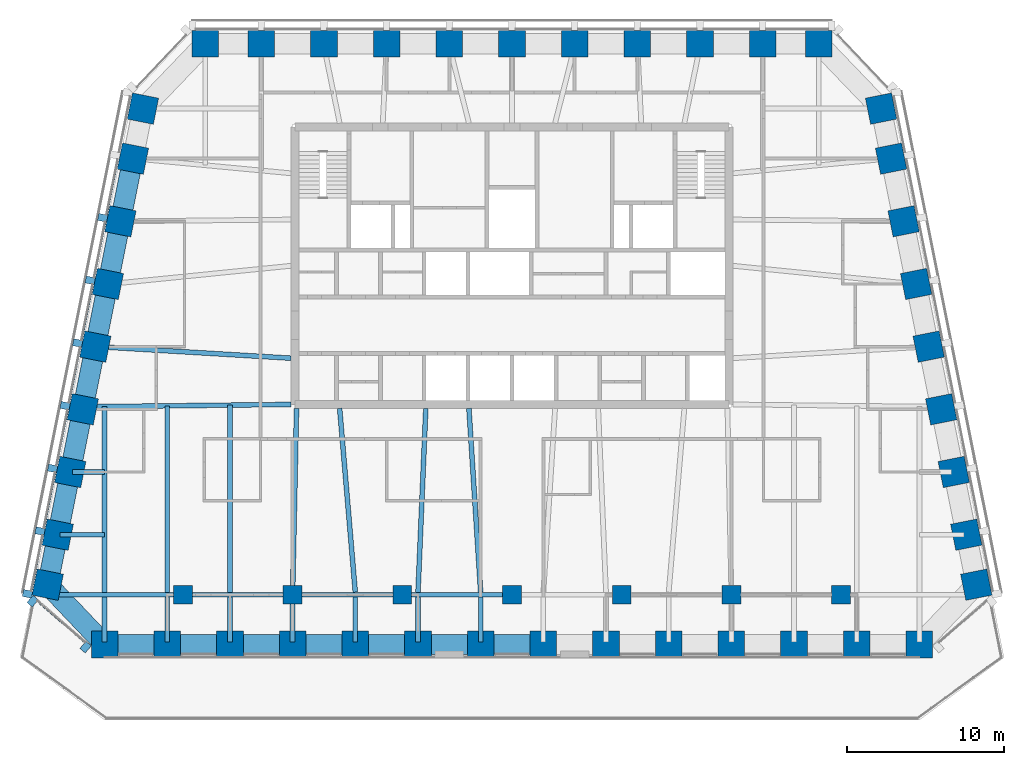
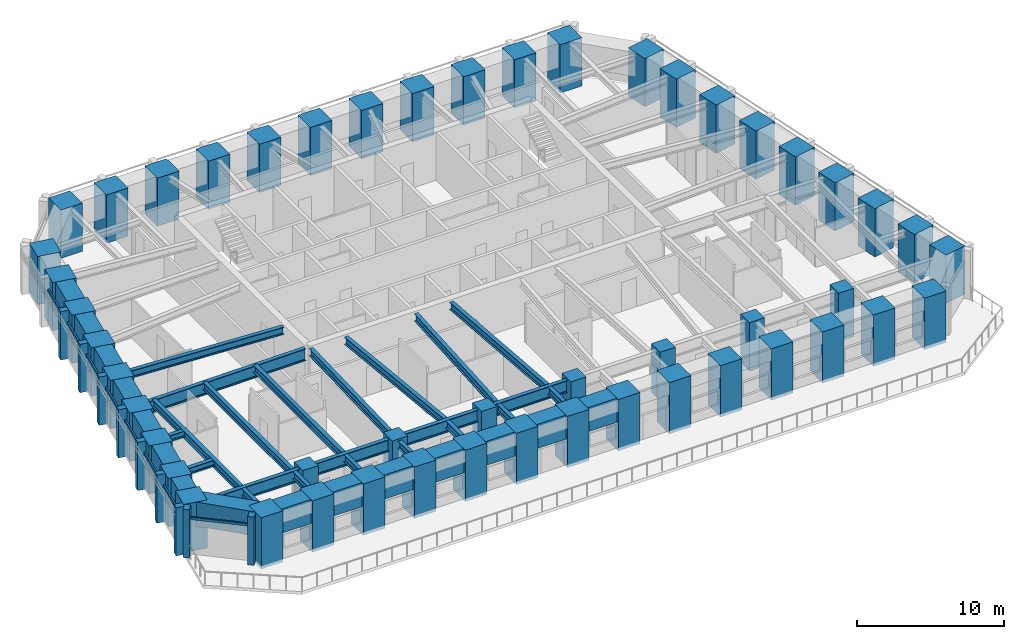
# One storey, part 1 of 11: 50 columns, 37 beams, 17 members, 2 elements without a shape of their own.
"""IFC4 building model written with IfcOpenShell, lengths in metres."""

from ifc_helpers import new_model, si_unit, direction, frame, origin, origin_2d, place, context, subcontext, project, spatial, rectangle, i_section, extrude, material, material_profile, profile_set, type_object, element, aggregate, save


model = new_model("IFC4")

# Units and contexts
model_context = context("Model", 3, precision=1e-05, world=origin(), true_north=direction((0.0, 1.0)))
body_context = subcontext(model_context, "Body", "Model", "MODEL_VIEW")
ifc_project = project(units=[si_unit("LENGTHUNIT", "METRE"), si_unit("AREAUNIT", "SQUARE_METRE"), si_unit("VOLUMEUNIT", "CUBIC_METRE"), si_unit("PLANEANGLEUNIT", "RADIAN"), si_unit("MASSUNIT", "GRAM", prefix="KILO")], contexts=[model_context])

# Site, building, storey
site_placement = place(None, origin())
site = spatial("IfcSite", under=ifc_project, at=site_placement, CompositionType="ELEMENT")
building_placement = place(site_placement, origin())
building = spatial("IfcBuilding", under=site, at=building_placement, Name="Isbrekke Arena Tower", CompositionType="ELEMENT")
storey_placement = place(building_placement, frame((0.0, 0.0, 272.0)))
storey = spatial("IfcBuildingStorey", under=building, at=storey_placement, Name="L63", CompositionType="ELEMENT", Elevation=272.0)

# Columns
ifc_material_1 = material(Name="Concrete B55 (C55/67)", Category="concrete")
ifc_material_profile_1 = material_profile(ifc_material_1, rectangle(XDim=1.199951171875, YDim=1.199951171875, at=origin_2d()), Name="RC 1200x1200")
ifc_profile_set_1 = profile_set([ifc_material_profile_1], Name="Concrete B55 (C55/67)")
column_type_1 = type_object("IfcColumnType", Name="C14 RC 1200 x 1200", PredefinedType="COLUMN", material=ifc_profile_set_1)
for number, where, z_axis, x_axis, name in (
    (1, (-21.0, -6.0, 0.0), (0.0, 0.0, 1.0), (1.0, 0.0, 0.0), "C14 I01"),
    (2, (-14.0, -6.0, 0.0), (0.0, 0.0, 1.0), (1.0, 0.0, 0.0), "C14 I02"),
    (3, (-7.0, -6.0, 0.0), (0.0, 0.0, 1.0), (1.0, 0.0, 0.0), "C14 I03"),
    (4, (0.0, -6.0, 0.0), (0.0, 0.0, 1.0), (1.0, 0.0, 0.0), "C14 I04"),
    (5, (7.0, -6.0, 0.0), (0.0, 0.0, 1.0), (1.0, 0.0, 0.0), "C14 I05"),
    (6, (14.0, -6.0, 0.0), (0.0, 0.0, 1.0), (1.0, 0.0, 0.0), "C14 I06"),
    (7, (21.0, -6.0, 0.0), (0.0, 0.0, 1.0), (1.0, 0.0, 0.0), "C14 I07"),
):
    element("IfcColumn", number, at=place(storey_placement, frame(where, z_axis=z_axis, x_axis=x_axis)), inside=storey, type_object=column_type_1, Name=name, PredefinedType="COLUMN", context=body_context, shape_type="SweptSolid", body=[
        extrude(rectangle(XDim=1.199951171875, YDim=1.199951171875, at=origin_2d()), origin(), (0.0, 0.0, 1.0), 4.0),
    ])
ifc_material_2 = material(Name="Concrete B55 (C55/67)", Category="concrete")
ifc_material_profile_2 = material_profile(ifc_material_2, rectangle(XDim=1.699951171875, YDim=1.699951171875, at=origin_2d()), Name="RC 1700x1700")
ifc_profile_set_2 = profile_set([ifc_material_profile_2], Name="Concrete B55 (C55/67)")
column_type_2 = type_object("IfcColumnType", Name="C5 RC 1700 x 1700", PredefinedType="COLUMN", material=ifc_profile_set_2)
for number, where, z_axis, x_axis, name in (
    (8, (-26.0, -9.175048828125, -0.25), (0.0, 0.0, 1.0), (1.0, 0.0, 0.0), "C5 S01"),
    (9, (-22.0, -9.175048828125, -0.25), (0.0, 0.0, 1.0), (1.0, 0.0, 0.0), "C5 S02"),
    (10, (-18.0, -9.175048828125, -0.25), (0.0, 0.0, 1.0), (1.0, 0.0, 0.0), "C5 S03"),
    (11, (-14.0, -9.175048828125, -0.25), (0.0, 0.0, 1.0), (1.0, 0.0, 0.0), "C5 S04"),
    (12, (-10.0, -9.175048828125, -0.25), (0.0, 0.0, 1.0), (1.0, 0.0, 0.0), "C5 S05"),
    (13, (-6.0, -9.175048828125, -0.25), (0.0, 0.0, 1.0), (1.0, 0.0, 0.0), "C5 S06"),
    (14, (-2.0, -9.175048828125, -0.25), (0.0, 0.0, 1.0), (1.0, 0.0, 0.0), "C5 S07"),
    (15, (2.0, -9.175048828125, -0.25), (0.0, 0.0, 1.0), (1.0, 0.0, 0.0), "C5 S08"),
    (16, (6.0, -9.175048828125, -0.25), (0.0, 0.0, 1.0), (1.0, 0.0, 0.0), "C5 S09"),
    (17, (10.0, -9.175048828125, -0.25), (0.0, 0.0, 1.0), (1.0, 0.0, 0.0), "C5 S10"),
    (18, (14.0, -9.175048828125, -0.25), (0.0, 0.0, 1.0), (1.0, 0.0, 0.0), "C5 S11"),
    (19, (18.0, -9.175048828125, -0.25), (0.0, 0.0, 1.0), (1.0, 0.0, 0.0), "C5 S12"),
    (20, (22.0, -9.175048828125, -0.25), (0.0, 0.0, 1.0), (1.0, 0.0, 0.0), "C5 S13"),
    (21, (26.0, -9.175048828125, -0.25), (0.0, 0.0, 1.0), (1.0, 0.0, 0.0), "C5 S14"),
):
    element("IfcColumn", number, at=place(storey_placement, frame(where, z_axis=z_axis, x_axis=x_axis)), inside=storey, type_object=column_type_2, Name=name, PredefinedType="COLUMN", context=body_context, shape_type="SweptSolid", body=[
        extrude(rectangle(XDim=1.699951171875, YDim=1.699951171875, at=origin_2d()), origin(), (0.0, 0.0, 1.0), 4.25),
    ])
for number, where, z_axis, x_axis, name in (
    (22, (29.629150390625, -5.352783203125, 0.0), (0.0, 0.0, 1.0), (-0.196116135138, 0.980580675691, 0.0), "C5 E01"),
    (23, (28.990966796875, -2.161865234375, 0.0), (0.0, 0.0, 1.0), (-0.196116135138, 0.980580675691, 0.0), "C5 E02"),
    (24, (28.19091796875, 1.838134765625, 0.0), (0.0, 0.0, 1.0), (-0.196116135138, 0.980580675691, 0.0), "C5 E03"),
    (25, (27.39111328125, 5.838134765625, 0.0), (0.0, 0.0, 1.0), (-0.196116135138, 0.980580675691, 0.0), "C5 E04"),
    (26, (26.591064453125, 9.838134765625, 0.0), (0.0, 0.0, 1.0), (-0.196116135138, 0.980580675691, 0.0), "C5 E05"),
    (27, (25.791015625, 13.838134765625, 0.0), (0.0, 0.0, 1.0), (-0.196116135138, 0.980580675691, 0.0), "C5 E06"),
    (28, (24.990966796875, 17.838134765625, 0.0), (0.0, 0.0, 1.0), (-0.196116135138, 0.980580675691, 0.0), "C5 E07"),
    (29, (24.19091796875, 21.838134765625, 0.0), (0.0, 0.0, 1.0), (-0.196116135138, 0.980580675691, 0.0), "C5 E08"),
    (30, (23.552734375, 25.029296875, 0.0), (0.0, 0.0, 1.0), (-0.196116135138, 0.980580675691, 0.0), "C5 E09"),
    (31, (19.574951171875, 29.175048828125, 0.0), (0.0, 0.0, 1.0), (-1.0, 0.0, 0.0), "C5 N01"),
    (32, (16.0, 29.175048828125, 0.0), (0.0, 0.0, 1.0), (-1.0, 0.0, 0.0), "C5 N02"),
    (33, (12.0, 29.175048828125, 0.0), (0.0, 0.0, 1.0), (-1.0, 0.0, 0.0), "C5 N03"),
    (34, (8.0, 29.175048828125, 0.0), (0.0, 0.0, 1.0), (-1.0, 0.0, 0.0), "C5 N04"),
    (35, (4.0, 29.175048828125, 0.0), (0.0, 0.0, 1.0), (-1.0, 0.0, 0.0), "C5 N05"),
    (36, (0.0, 29.175048828125, 0.0), (0.0, 0.0, 1.0), (-1.0, 0.0, 0.0), "C5 N06"),
    (37, (-4.0, 29.175048828125, 0.0), (0.0, 0.0, 1.0), (-1.0, 0.0, 0.0), "C5 N07"),
    (38, (-8.0, 29.175048828125, 0.0), (0.0, 0.0, 1.0), (-1.0, 0.0, 0.0), "C5 N08"),
    (39, (-12.0, 29.175048828125, 0.0), (0.0, 0.0, 1.0), (-1.0, 0.0, 0.0), "C5 N09"),
    (40, (-16.0, 29.175048828125, 0.0), (0.0, 0.0, 1.0), (-1.0, 0.0, 0.0), "C5 N10"),
    (41, (-19.574951171875, 29.175048828125, 0.0), (0.0, 0.0, 1.0), (-1.0, 0.0, 0.0), "C5 N11"),
    (42, (-23.552734375, 25.029296875, 0.0), (0.0, 0.0, 1.0), (-0.196116135138, -0.980580675691, 0.0), "C5 W01"),
    (43, (-24.19091796875, 21.838134765625, 0.0), (0.0, 0.0, 1.0), (-0.196116135138, -0.980580675691, 0.0), "C5 W02"),
    (44, (-24.990966796875, 17.838134765625, 0.0), (0.0, 0.0, 1.0), (-0.196116135138, -0.980580675691, 0.0), "C5 W03"),
    (45, (-25.791015625, 13.838134765625, 0.0), (0.0, 0.0, 1.0), (-0.196116135138, -0.980580675691, 0.0), "C5 W04"),
    (46, (-26.591064453125, 9.838134765625, 0.0), (0.0, 0.0, 1.0), (-0.196116135138, -0.980580675691, 0.0), "C5 W05"),
    (47, (-27.39111328125, 5.838134765625, 0.0), (0.0, 0.0, 1.0), (-0.196116135138, -0.980580675691, 0.0), "C5 W06"),
    (48, (-28.19091796875, 1.838134765625, 0.0), (0.0, 0.0, 1.0), (-0.196116135138, -0.980580675691, 0.0), "C5 W07"),
    (49, (-28.990966796875, -2.161865234375, 0.0), (0.0, 0.0, 1.0), (-0.196116135138, -0.980580675691, 0.0), "C5 W08"),
    (50, (-29.629150390625, -5.352783203125, 0.0), (0.0, 0.0, 1.0), (-0.196116135138, -0.980580675691, 0.0), "C5 W09"),
):
    element("IfcColumn", number, at=place(storey_placement, frame(where, z_axis=z_axis, x_axis=x_axis)), inside=storey, type_object=column_type_2, Name=name, PredefinedType="COLUMN", context=body_context, shape_type="SweptSolid", body=[
        extrude(rectangle(XDim=1.699951171875, YDim=1.699951171875, at=origin_2d()), origin(), (0.0, 0.0, 1.0), 4.0),
    ])

# Beams
ifc_material_3 = material(Name="Steel S355", Category="steel")
ifc_material_profile_3 = material_profile(ifc_material_3, i_section(OverallWidth=0.304931640625, OverallDepth=0.6201171875, WebThickness=0.02099609375, FlangeThickness=0.0400390625, FilletRadius=0.027099609375, at=origin_2d()), Name="HEM 600")
ifc_profile_set_3 = profile_set([ifc_material_profile_3], Name="Steel S355")
beam_type_1 = type_object("IfcBeamType", Name="B4 HEM 600", PredefinedType="BEAM", material=ifc_profile_set_3)
for number, where, z_axis, x_axis, name in (
    (51, (-26.0, -9.02490234375, 3.5400390625), (0.0, 1.0, 0.0), (-1.0, 0.0, 0.0), "B4 beam S-S01 L63"),
    (52, (-22.0, -9.02490234375, 3.5400390625), (0.0, 1.0, 0.0), (-1.0, 0.0, 0.0), "B4 beam S-S02 L63"),
    (53, (-18.0, -9.02490234375, 3.5400390625), (0.0, 1.0, 0.0), (-1.0, 0.0, 0.0), "B4 beam S-S03 L63"),
):
    element("IfcBeam", number, at=place(storey_placement, frame(where, z_axis=z_axis, x_axis=x_axis)), inside=storey, type_object=beam_type_1, Name=name, PredefinedType="BEAM", context=body_context, shape_type="SweptSolid", body=[
        extrude(i_section(OverallWidth=0.304931640625, OverallDepth=0.6201171875, WebThickness=0.02099609375, FlangeThickness=0.0400390625, FilletRadius=0.027099609375, at=origin_2d()), origin(), (0.0, 0.0, 1.0), 2.8740234375),
    ])
beam_1_placement = place(storey_placement, frame((-14.0, -9.02490234375, 3.5400390625), z_axis=(0.0, 1.0, 0.0), x_axis=(-1.0, 0.0, 0.0)))
element("IfcBeam", 54, at=beam_1_placement, inside=storey, type_object=beam_type_1, Name="B4 beam S-S04 L63", PredefinedType="BEAM", context=body_context, shape_type="SweptSolid", body=[
    extrude(i_section(OverallWidth=0.304931640625, OverallDepth=0.6201171875, WebThickness=0.02099609375, FlangeThickness=0.0400390625, FilletRadius=0.027099609375, at=origin_2d()), origin(), (0.0, 0.0, 1.0), 2.875),
])
for number, where, z_axis, x_axis, name in (
    (55, (-10.0, -9.02490234375, 3.5400390625), (0.0, 1.0, 0.0), (-1.0, 0.0, 0.0), "B4 beam S-S05 L63"),
    (56, (-6.0, -9.02490234375, 3.5400390625), (0.0, 1.0, 0.0), (-1.0, 0.0, 0.0), "B4 beam S-S06 L63"),
    (57, (-2.0, -9.02490234375, 3.5400390625), (0.0, 1.0, 0.0), (-1.0, 0.0, 0.0), "B4 beam S-S07 L63"),
):
    element("IfcBeam", number, at=place(storey_placement, frame(where, z_axis=z_axis, x_axis=x_axis)), inside=storey, type_object=beam_type_1, Name=name, PredefinedType="BEAM", context=body_context, shape_type="SweptSolid", body=[
        extrude(i_section(OverallWidth=0.304931640625, OverallDepth=0.6201171875, WebThickness=0.02099609375, FlangeThickness=0.0400390625, FilletRadius=0.027099609375, at=origin_2d()), origin(), (0.0, 0.0, 1.0), 2.8740234375),
    ])
beam_2_placement = place(storey_placement, frame((-26.0, -5.84912109375, 3.5400390625), z_axis=(0.0, 1.0, 0.0), x_axis=(-1.0, 0.0, 0.0)))
element("IfcBeam", 58, at=beam_2_placement, inside=storey, type_object=beam_type_1, Name="B4 beam C-M01 L63", PredefinedType="BEAM", context=body_context, shape_type="SweptSolid", body=[
    extrude(i_section(OverallWidth=0.304931640625, OverallDepth=0.6201171875, WebThickness=0.02099609375, FlangeThickness=0.0400390625, FilletRadius=0.027099609375, at=origin_2d()), origin(), (0.0, 0.0, 1.0), 11.86474609375),
])
beam_3_placement = place(storey_placement, frame((-22.0, -5.84912109375, 3.5400390625), z_axis=(0.0, 1.0, 0.0), x_axis=(-1.0, 0.0, 0.0)))
element("IfcBeam", 59, at=beam_3_placement, inside=storey, type_object=beam_type_1, Name="B4 beam C-M02 L63", PredefinedType="BEAM", context=body_context, shape_type="SweptSolid", body=[
    extrude(i_section(OverallWidth=0.304931640625, OverallDepth=0.6201171875, WebThickness=0.02099609375, FlangeThickness=0.0400390625, FilletRadius=0.027099609375, at=origin_2d()), origin(), (0.0, 0.0, 1.0), 11.909912109375),
])
beam_4_placement = place(storey_placement, frame((-18.0, -5.84912109375, 3.5400390625), z_axis=(0.0, 1.0, 0.0), x_axis=(-1.0, 0.0, 0.0)))
element("IfcBeam", 60, at=beam_4_placement, inside=storey, type_object=beam_type_1, Name="B4 beam C-M03 L63", PredefinedType="BEAM", context=body_context, shape_type="SweptSolid", body=[
    extrude(i_section(OverallWidth=0.304931640625, OverallDepth=0.6201171875, WebThickness=0.02099609375, FlangeThickness=0.0400390625, FilletRadius=0.027099609375, at=origin_2d()), origin(), (0.0, 0.0, 1.0), 11.955078125),
])
beam_5_placement = place(storey_placement, frame((-14.0, -5.8466796875, 3.5400390625), z_axis=(0.021277968258, 0.999773598405, 0.0), x_axis=(-0.999773598405, 0.021277968258, 0.0)))
element("IfcBeam", 61, at=beam_5_placement, inside=storey, type_object=beam_type_1, Name="B4 beam C-M04 L63", PredefinedType="BEAM", context=body_context, shape_type="SweptSolid", body=[
    extrude(i_section(OverallWidth=0.304931640625, OverallDepth=0.6201171875, WebThickness=0.02099609375, FlangeThickness=0.0400390625, FilletRadius=0.027099609375, at=origin_2d()), origin(), (0.0, 0.0, 1.0), 11.749267578125),
])
beam_6_placement = place(storey_placement, frame((-10.0009765625, -5.836181640625, 3.5400390625), z_axis=(-0.084817344046, 0.996396516528, 0.0), x_axis=(-0.996396516528, -0.084817344046, 0.0)))
element("IfcBeam", 62, at=beam_6_placement, inside=storey, type_object=beam_type_1, Name="B4 beam C-M05 L63", PredefinedType="BEAM", context=body_context, shape_type="SweptSolid", body=[
    extrude(i_section(OverallWidth=0.304931640625, OverallDepth=0.6201171875, WebThickness=0.02099609375, FlangeThickness=0.0400390625, FilletRadius=0.027099609375, at=origin_2d()), origin(), (0.0, 0.0, 1.0), 11.778564453125),
])
beam_7_placement = place(storey_placement, frame((-5.999755859375, -5.842529296875, 3.5400390625), z_axis=(0.042521334166, 0.999095559064, 0.0), x_axis=(-0.999095559064, 0.042521334166, 0.0)))
element("IfcBeam", 63, at=beam_7_placement, inside=storey, type_object=beam_type_1, Name="B4 beam C-M06 L63", PredefinedType="BEAM", context=body_context, shape_type="SweptSolid", body=[
    extrude(i_section(OverallWidth=0.304931640625, OverallDepth=0.6201171875, WebThickness=0.02099609375, FlangeThickness=0.0400390625, FilletRadius=0.027099609375, at=origin_2d()), origin(), (0.0, 0.0, 1.0), 11.753173828125),
])
beam_8_placement = place(storey_placement, frame((-2.000732421875, -5.83935546875, 3.5400390625), z_axis=(-0.063696196046, 0.997969335506, 0.0), x_axis=(-0.997969335506, -0.063696196046, 0.0)))
element("IfcBeam", 64, at=beam_8_placement, inside=storey, type_object=beam_type_1, Name="B4 beam C-M07 L63", PredefinedType="BEAM", context=body_context, shape_type="SweptSolid", body=[
    extrude(i_section(OverallWidth=0.304931640625, OverallDepth=0.6201171875, WebThickness=0.02099609375, FlangeThickness=0.0400390625, FilletRadius=0.027099609375, at=origin_2d()), origin(), (0.0, 0.0, 1.0), 11.76318359375),
])
beam_9_placement = place(storey_placement, frame((-26.431884765625, 9.837646484375, 3.5400390625), z_axis=(0.998216240514, -0.059702070095, 0.0), x_axis=(0.059702070095, 0.998216240514, 0.0)))
element("IfcBeam", 65, at=beam_9_placement, inside=storey, type_object=beam_type_1, Name="B4 beam E-W05 L63", PredefinedType="BEAM", context=body_context, shape_type="SweptSolid", body=[
    extrude(i_section(OverallWidth=0.304931640625, OverallDepth=0.6201171875, WebThickness=0.02099609375, FlangeThickness=0.0400390625, FilletRadius=0.027099609375, at=origin_2d()), origin(), (0.0, 0.0, 1.0), 12.353759765625),
])
ifc_material_4 = material(Name="Steel S355", Category="steel")
ifc_material_profile_4 = material_profile(ifc_material_4, i_section(OverallWidth=0.305908203125, OverallDepth=0.52392578125, WebThickness=0.02099609375, FlangeThickness=0.0400390625, FilletRadius=0.027099609375, at=origin_2d()), Name="HEM 500")
ifc_profile_set_4 = profile_set([ifc_material_profile_4], Name="Steel S355")
beam_type_2 = type_object("IfcBeamType", Name="B5 HEM 500", PredefinedType="BEAM", material=ifc_profile_set_4)
beam_10_placement = place(storey_placement, frame((-28.041015625, 1.838134765625, 3.587890625), z_axis=(1.0, 0.0, 0.0), x_axis=(0.0, 1.0, 0.0)))
element("IfcBeam", 66, at=beam_10_placement, inside=storey, type_object=beam_type_2, Name="B5 beam E-W07 L63", PredefinedType="BEAM", context=body_context, shape_type="SweptSolid", body=[
    extrude(i_section(OverallWidth=0.305908203125, OverallDepth=0.52392578125, WebThickness=0.02099609375, FlangeThickness=0.0400390625, FilletRadius=0.027099609375, at=origin_2d()), origin(), (0.0, 0.0, 1.0), 2.041015625),
])
beam_11_placement = place(storey_placement, frame((-28.841064453125, -2.161865234375, 3.587890625), z_axis=(1.0, 0.0, 0.0), x_axis=(0.0, 1.0, 0.0)))
element("IfcBeam", 67, at=beam_11_placement, inside=storey, type_object=beam_type_2, Name="B5 beam E-W08 L63", PredefinedType="BEAM", context=body_context, shape_type="SweptSolid", body=[
    extrude(i_section(OverallWidth=0.305908203125, OverallDepth=0.52392578125, WebThickness=0.02099609375, FlangeThickness=0.0400390625, FilletRadius=0.027099609375, at=origin_2d()), origin(), (0.0, 0.0, 1.0), 2.841064453125),
])

# Curtain wall, members
ifc_material_5 = material(Name="Glazed aluminium curtain wall", Category="aluminium")
curtain_wall_type = type_object("IfcCurtainWallType", Name="CWT TOWER CURTAIN WALL TOP ZONE", PredefinedType="USERDEFINED", material=ifc_material_5)
curtain_wall_1_placement = place(storey_placement, origin())
curtain_wall_1 = element("IfcCurtainWall", 68, at=curtain_wall_1_placement, inside=storey, type_object=curtain_wall_type, Name="CWT curtain wall L63-W", ObjectType="TOWER CURTAIN WALL TOP ZONE", PredefinedType="USERDEFINED")
ifc_material_6 = material(Name="Copper-clad aluminium mullion", Category="aluminium")
ifc_material_profile_5 = material_profile(ifc_material_6, rectangle(XDim=0.449951171875, YDim=0.60009765625, at=origin_2d()), Name="PIER 450X600")
ifc_profile_set_5 = profile_set([ifc_material_profile_5], Name="Copper-clad aluminium mullion")
member_type_1 = type_object("IfcMemberType", Name="CWT-M PIER MULLION 450 x 600", PredefinedType="MULLION", material=ifc_profile_set_5)
member_1_placement = place(storey_placement, frame((-26.11865234375, 18.063720703125, 0.0), z_axis=(0.0, 0.0, 1.0), x_axis=(-0.196116135138, -0.980580675691, 0.0)))
member_1 = element("IfcMember", 69, at=member_1_placement, type_object=member_type_1, Name="CWT-M mullion 3", PredefinedType="MULLION", context=body_context, shape_type="SweptSolid", body=[
    extrude(rectangle(XDim=0.449951171875, YDim=0.60009765625, at=origin_2d()), origin(), (0.0, 0.0, 1.0), 4.0),
])
member_2_placement = place(storey_placement, frame((-26.918701171875, 14.063720703125, 0.0), z_axis=(0.0, 0.0, 1.0), x_axis=(-0.196116135138, -0.980580675691, 0.0)))
member_2 = element("IfcMember", 70, at=member_2_placement, type_object=member_type_1, Name="CWT-M mullion 4", PredefinedType="MULLION", context=body_context, shape_type="SweptSolid", body=[
    extrude(rectangle(XDim=0.449951171875, YDim=0.60009765625, at=origin_2d()), origin(), (0.0, 0.0, 1.0), 4.0),
])
member_3_placement = place(storey_placement, frame((-27.71875, 10.063720703125, 0.0), z_axis=(0.0, 0.0, 1.0), x_axis=(-0.196116135138, -0.980580675691, 0.0)))
member_3 = element("IfcMember", 71, at=member_3_placement, type_object=member_type_1, Name="CWT-M mullion 5", PredefinedType="MULLION", context=body_context, shape_type="SweptSolid", body=[
    extrude(rectangle(XDim=0.449951171875, YDim=0.60009765625, at=origin_2d()), origin(), (0.0, 0.0, 1.0), 4.0),
])
member_4_placement = place(storey_placement, frame((-28.518798828125, 6.063720703125, 0.0), z_axis=(0.0, 0.0, 1.0), x_axis=(-0.196116135138, -0.980580675691, 0.0)))
member_4 = element("IfcMember", 72, at=member_4_placement, type_object=member_type_1, Name="CWT-M mullion 6", PredefinedType="MULLION", context=body_context, shape_type="SweptSolid", body=[
    extrude(rectangle(XDim=0.449951171875, YDim=0.60009765625, at=origin_2d()), origin(), (0.0, 0.0, 1.0), 4.0),
])
member_5_placement = place(storey_placement, frame((-29.318603515625, 2.063720703125, 0.0), z_axis=(0.0, 0.0, 1.0), x_axis=(-0.196116135138, -0.980580675691, 0.0)))
member_5 = element("IfcMember", 73, at=member_5_placement, type_object=member_type_1, Name="CWT-M mullion 7", PredefinedType="MULLION", context=body_context, shape_type="SweptSolid", body=[
    extrude(rectangle(XDim=0.449951171875, YDim=0.60009765625, at=origin_2d()), origin(), (0.0, 0.0, 1.0), 4.0),
])
member_6_placement = place(storey_placement, frame((-30.11865234375, -1.936279296875, 0.0), z_axis=(0.0, 0.0, 1.0), x_axis=(-0.196116135138, -0.980580675691, 0.0)))
member_6 = element("IfcMember", 74, at=member_6_placement, type_object=member_type_1, Name="CWT-M mullion 8", PredefinedType="MULLION", context=body_context, shape_type="SweptSolid", body=[
    extrude(rectangle(XDim=0.449951171875, YDim=0.60009765625, at=origin_2d()), origin(), (0.0, 0.0, 1.0), 4.0),
])
member_7_placement = place(storey_placement, frame((-30.918701171875, -5.936279296875, 0.0), z_axis=(0.0, 0.0, 1.0), x_axis=(-0.196116135138, -0.980580675691, 0.0)))
member_7 = element("IfcMember", 75, at=member_7_placement, type_object=member_type_1, Name="CWT-M mullion 9", PredefinedType="MULLION", context=body_context, shape_type="SweptSolid", body=[
    extrude(rectangle(XDim=0.449951171875, YDim=0.60009765625, at=origin_2d()), origin(), (0.0, 0.0, 1.0), 4.0),
])

curtain_wall_2_placement = place(storey_placement, origin())
curtain_wall_2 = element("IfcCurtainWall", 76, at=curtain_wall_2_placement, inside=storey, type_object=curtain_wall_type, Name="CWT curtain wall L63-WS", ObjectType="TOWER CURTAIN WALL TOP ZONE", PredefinedType="USERDEFINED")
member_8_placement = place(storey_placement, frame((-30.59228515625, -6.404052734375, 0.0), z_axis=(0.0, 0.0, 1.0), x_axis=(0.754605522159, -0.65617871493, 0.0)))
member_8 = element("IfcMember", 77, at=member_8_placement, type_object=member_type_1, Name="CWT-M mullion 1", PredefinedType="MULLION", context=body_context, shape_type="SweptSolid", body=[
    extrude(rectangle(XDim=0.449951171875, YDim=0.60009765625, at=origin_2d()), origin(), (0.0, 0.0, 1.0), 4.0),
])
member_9_placement = place(storey_placement, frame((-27.21435546875, -9.341552734375, 0.0), z_axis=(0.0, 0.0, 1.0), x_axis=(0.754605522159, -0.65617871493, 0.0)))
member_9 = element("IfcMember", 78, at=member_9_placement, type_object=member_type_1, Name="CWT-M mullion 2", PredefinedType="MULLION", context=body_context, shape_type="SweptSolid", body=[
    extrude(rectangle(XDim=0.449951171875, YDim=0.60009765625, at=origin_2d()), origin(), (0.0, 0.0, 1.0), 4.0),
])

# Member
ifc_material_7 = material(Name="Aluminium transom", Category="aluminium")
ifc_material_profile_6 = material_profile(ifc_material_7, rectangle(XDim=0.1201171875, YDim=0.199951171875, at=origin_2d()), Name="TRANSOM 120X200")
ifc_profile_set_6 = profile_set([ifc_material_profile_6], Name="Aluminium transom")
member_type_2 = type_object("IfcMemberType", Name="CWT-T TRANSOM 120 x 200", PredefinedType="USERDEFINED", material=ifc_profile_set_6)
member_10_placement = place(storey_placement, frame((-25.166748046875, 21.803955078125, 3.0), z_axis=(-0.196090262229, -0.980585849918, 0.0), x_axis=(0.980585849918, -0.196090262229, 0.0)))
member_10 = element("IfcMember", 79, at=member_10_placement, type_object=member_type_2, Name="CWT-T transom 2", ObjectType="TRANSOM", PredefinedType="USERDEFINED", context=body_context, shape_type="SweptSolid", body=[
    extrude(rectangle(XDim=0.1201171875, YDim=0.199951171875, at=origin_2d()), origin(), (0.0, 0.0, 1.0), 3.62939453125),
])

member_11_placement = place(storey_placement, frame((-25.966796875, 17.803955078125, 3.0), z_axis=(-0.196090262229, -0.980585849918, 0.0), x_axis=(0.980585849918, -0.196090262229, 0.0)))
member_11 = element("IfcMember", 80, at=member_11_placement, type_object=member_type_2, Name="CWT-T transom 3", ObjectType="TRANSOM", PredefinedType="USERDEFINED", context=body_context, shape_type="SweptSolid", body=[
    extrude(rectangle(XDim=0.1201171875, YDim=0.199951171875, at=origin_2d()), origin(), (0.0, 0.0, 1.0), 3.62939453125),
])

member_12_placement = place(storey_placement, frame((-26.7666015625, 13.803955078125, 3.0), z_axis=(-0.196154943734, -0.980572913173, 0.0), x_axis=(0.980572913173, -0.196154943734, 0.0)))
member_12 = element("IfcMember", 81, at=member_12_placement, type_object=member_type_2, Name="CWT-T transom 4", ObjectType="TRANSOM", PredefinedType="USERDEFINED", context=body_context, shape_type="SweptSolid", body=[
    extrude(rectangle(XDim=0.1201171875, YDim=0.199951171875, at=origin_2d()), origin(), (0.0, 0.0, 1.0), 3.62939453125),
])

member_13_placement = place(storey_placement, frame((-27.566650390625, 9.803955078125, 3.0), z_axis=(-0.196154943734, -0.980572913173, 0.0), x_axis=(0.980572913173, -0.196154943734, 0.0)))
member_13 = element("IfcMember", 82, at=member_13_placement, type_object=member_type_2, Name="CWT-T transom 5", ObjectType="TRANSOM", PredefinedType="USERDEFINED", context=body_context, shape_type="SweptSolid", body=[
    extrude(rectangle(XDim=0.1201171875, YDim=0.199951171875, at=origin_2d()), origin(), (0.0, 0.0, 1.0), 3.62939453125),
])

member_14_placement = place(storey_placement, frame((-28.36669921875, 5.803955078125, 3.0), z_axis=(-0.196090262229, -0.980585849918, 0.0), x_axis=(0.980585849918, -0.196090262229, 0.0)))
member_14 = element("IfcMember", 83, at=member_14_placement, type_object=member_type_2, Name="CWT-T transom 6", ObjectType="TRANSOM", PredefinedType="USERDEFINED", context=body_context, shape_type="SweptSolid", body=[
    extrude(rectangle(XDim=0.1201171875, YDim=0.199951171875, at=origin_2d()), origin(), (0.0, 0.0, 1.0), 3.62939453125),
])

member_15_placement = place(storey_placement, frame((-29.166748046875, 1.803955078125, 3.0), z_axis=(-0.196090262229, -0.980585849918, 0.0), x_axis=(0.980585849918, -0.196090262229, 0.0)))
member_15 = element("IfcMember", 84, at=member_15_placement, type_object=member_type_2, Name="CWT-T transom 7", ObjectType="TRANSOM", PredefinedType="USERDEFINED", context=body_context, shape_type="SweptSolid", body=[
    extrude(rectangle(XDim=0.1201171875, YDim=0.199951171875, at=origin_2d()), origin(), (0.0, 0.0, 1.0), 3.62939453125),
])

member_16_placement = place(storey_placement, frame((-29.966796875, -2.196044921875, 3.0), z_axis=(-0.196090262229, -0.980585849918, 0.0), x_axis=(0.980585849918, -0.196090262229, 0.0)))
member_16 = element("IfcMember", 85, at=member_16_placement, type_object=member_type_2, Name="CWT-T transom 8", ObjectType="TRANSOM", PredefinedType="USERDEFINED", context=body_context, shape_type="SweptSolid", body=[
    extrude(rectangle(XDim=0.1201171875, YDim=0.199951171875, at=origin_2d()), origin(), (0.0, 0.0, 1.0), 3.62939453125),
])

aggregate(curtain_wall_1, [member_1, member_2, member_3, member_4, member_5, member_6, member_7, member_10, member_11, member_12, member_13, member_14, member_15, member_16])

member_17_placement = place(storey_placement, frame((-30.29150390625, -6.40087890625, 3.0), z_axis=(0.754623796266, -0.656157699116, 0.0), x_axis=(0.656157699116, 0.754623796266, 0.0)))
member_17 = element("IfcMember", 86, at=member_17_placement, type_object=member_type_2, Name="CWT-T transom 1", ObjectType="TRANSOM", PredefinedType="USERDEFINED", context=body_context, shape_type="SweptSolid", body=[
    extrude(rectangle(XDim=0.1201171875, YDim=0.199951171875, at=origin_2d()), origin(), (0.0, 0.0, 1.0), 4.026611328125),
])

aggregate(curtain_wall_2, [member_8, member_9, member_17])

# Beams
ifc_material_8 = material(Name="Steel S355", Category="steel")
ifc_material_profile_7 = material_profile(ifc_material_8, i_section(OverallWidth=0.302001953125, OverallDepth=1.008056640625, WebThickness=0.02099609375, FlangeThickness=0.0400390625, FilletRadius=0.030029296875, at=origin_2d()), Name="HEM 1000")
ifc_profile_set_7 = profile_set([ifc_material_profile_7], Name="Steel S355")
beam_type_3 = type_object("IfcBeamType", Name="G1 HEM 1000", PredefinedType="BEAM", material=ifc_profile_set_7)
beam_12_placement = place(storey_placement, frame((-29.629150390625, -6.0, 3.345947265625), z_axis=(1.0, 0.0, 0.0), x_axis=(0.0, 1.0, 0.0)))
element("IfcBeam", 87, at=beam_12_placement, inside=storey, type_object=beam_type_3, Name="G1 beam G1-01 L63", PredefinedType="BEAM", context=body_context, shape_type="SweptSolid", body=[
    extrude(i_section(OverallWidth=0.302001953125, OverallDepth=1.008056640625, WebThickness=0.02099609375, FlangeThickness=0.0400390625, FilletRadius=0.030029296875, at=origin_2d()), origin(), (0.0, 0.0, 1.0), 8.479248046875),
])
for number, where, z_axis, x_axis, name in (
    (88, (-20.85009765625, -6.0, 3.345947265625), (1.0, 0.0, 0.0), (0.0, 1.0, 0.0), "G1 beam G1-02 L63"),
    (89, (-13.85009765625, -6.0, 3.345947265625), (1.0, 0.0, 0.0), (0.0, 1.0, 0.0), "G1 beam G1-03 L63"),
    (90, (-6.85009765625, -6.0, 3.345947265625), (1.0, 0.0, 0.0), (0.0, 1.0, 0.0), "G1 beam G1-04 L63"),
):
    element("IfcBeam", number, at=place(storey_placement, frame(where, z_axis=z_axis, x_axis=x_axis)), inside=storey, type_object=beam_type_3, Name=name, PredefinedType="BEAM", context=body_context, shape_type="SweptSolid", body=[
        extrude(i_section(OverallWidth=0.302001953125, OverallDepth=1.008056640625, WebThickness=0.02099609375, FlangeThickness=0.0400390625, FilletRadius=0.030029296875, at=origin_2d()), origin(), (0.0, 0.0, 1.0), 6.7001953125),
    ])
ifc_material_9 = material(Name="Steel S355", Category="steel")
ifc_material_profile_8 = material_profile(ifc_material_9, i_section(OverallWidth=0.302001953125, OverallDepth=1.008056640625, WebThickness=0.02099609375, FlangeThickness=0.0400390625, FilletRadius=0.030029296875, at=origin_2d()), Name="HEM 1000")
ifc_profile_set_8 = profile_set([ifc_material_profile_8], Name="Steel S355")
beam_type_4 = type_object("IfcBeamType", Name="G2 HEM 1000", PredefinedType="BEAM", material=ifc_profile_set_8)
beam_13_placement = place(storey_placement, frame((-14.10009765625, 6.14990234375, 3.345947265625), z_axis=(-0.999936387749, -0.011279204565, 0.0), x_axis=(0.011279204565, -0.999936387749, 0.0)))
element("IfcBeam", 91, at=beam_13_placement, inside=storey, type_object=beam_type_4, Name="G2 beam G2-W L63", PredefinedType="BEAM", context=body_context, shape_type="SweptSolid", body=[
    extrude(i_section(OverallWidth=0.302001953125, OverallDepth=1.008056640625, WebThickness=0.02099609375, FlangeThickness=0.0400390625, FilletRadius=0.030029296875, at=origin_2d()), origin(), (0.0, 0.0, 1.0), 13.2900390625),
])
ifc_material_10 = material(Name="Concrete B55 (C55/67)", Category="concrete")
ifc_material_profile_9 = material_profile(ifc_material_10, rectangle(XDim=1.300048828125, YDim=2.0, at=origin_2d()), Name="RC 1300x2000")
ifc_profile_set_9 = profile_set([ifc_material_profile_9], Name="Concrete B55 (C55/67)")
beam_type_5 = type_object("IfcBeamType", Name="SB4 RC 1300 x 2000", PredefinedType="SPANDREL", material=ifc_profile_set_9)
for number, where, z_axis, x_axis, name in (
    (92, (-25.85009765625, -9.175048828125, 3.0), (1.0, 0.0, 0.0), (0.0, 1.0, 0.0), "SB4 spandrel S01-S02 L63"),
    (93, (-21.85009765625, -9.175048828125, 3.0), (1.0, 0.0, 0.0), (0.0, 1.0, 0.0), "SB4 spandrel S02-S03 L63"),
    (94, (-17.85009765625, -9.175048828125, 3.0), (1.0, 0.0, 0.0), (0.0, 1.0, 0.0), "SB4 spandrel S03-S04 L63"),
    (95, (-13.85009765625, -9.175048828125, 3.0), (1.0, 0.0, 0.0), (0.0, 1.0, 0.0), "SB4 spandrel S04-S05 L63"),
    (96, (-9.85009765625, -9.175048828125, 3.0), (1.0, 0.0, 0.0), (0.0, 1.0, 0.0), "SB4 spandrel S05-S06 L63"),
    (97, (-5.85009765625, -9.175048828125, 3.0), (1.0, 0.0, 0.0), (0.0, 1.0, 0.0), "SB4 spandrel S06-S07 L63"),
    (98, (-1.85009765625, -9.175048828125, 3.0), (1.0, 0.0, 0.0), (0.0, 1.0, 0.0), "SB4 spandrel S07-S08 L63"),
):
    element("IfcBeam", number, at=place(storey_placement, frame(where, z_axis=z_axis, x_axis=x_axis)), inside=storey, type_object=beam_type_5, Name=name, PredefinedType="SPANDREL", context=body_context, shape_type="SweptSolid", body=[
        extrude(rectangle(XDim=1.300048828125, YDim=2.0, at=origin_2d()), origin(), (0.0, 0.0, 1.0), 3.7001953125),
    ])
for number, where, z_axis, x_axis, name in (
    (99, (-24.220458984375, 21.691162109375, 3.0), (-0.196128558387, -0.980578190959, 0.0), (0.980578190959, -0.196128558387, 0.0), "SB4 spandrel W02-W03 L63"),
    (100, (-25.0205078125, 17.691162109375, 3.0), (-0.196128558387, -0.980578190959, 0.0), (0.980578190959, -0.196128558387, 0.0), "SB4 spandrel W03-W04 L63"),
):
    element("IfcBeam", number, at=place(storey_placement, frame(where, z_axis=z_axis, x_axis=x_axis)), inside=storey, type_object=beam_type_5, Name=name, PredefinedType="SPANDREL", context=body_context, shape_type="SweptSolid", body=[
        extrude(rectangle(XDim=1.300048828125, YDim=2.0, at=origin_2d()), origin(), (0.0, 0.0, 1.0), 3.779296875),
    ])
beam_14_placement = place(storey_placement, frame((-25.820556640625, 13.691162109375, 3.0), z_axis=(-0.1960664412, -0.980590613169, 0.0), x_axis=(0.980590613169, -0.1960664412, 0.0)))
element("IfcBeam", 101, at=beam_14_placement, inside=storey, type_object=beam_type_5, Name="SB4 spandrel W04-W05 L63", PredefinedType="SPANDREL", context=body_context, shape_type="SweptSolid", body=[
    extrude(rectangle(XDim=1.300048828125, YDim=2.0, at=origin_2d()), origin(), (0.0, 0.0, 1.0), 3.779052734375),
])
for number, where, z_axis, x_axis, name in (
    (102, (-26.620361328125, 9.691162109375, 3.0), (-0.196128558387, -0.980578190959, 0.0), (0.980578190959, -0.196128558387, 0.0), "SB4 spandrel W05-W06 L63"),
    (103, (-27.42041015625, 5.691162109375, 3.0), (-0.196128558387, -0.980578190959, 0.0), (0.980578190959, -0.196128558387, 0.0), "SB4 spandrel W06-W07 L63"),
    (104, (-28.220458984375, 1.691162109375, 3.0), (-0.196128558387, -0.980578190959, 0.0), (0.980578190959, -0.196128558387, 0.0), "SB4 spandrel W07-W08 L63"),
):
    element("IfcBeam", number, at=place(storey_placement, frame(where, z_axis=z_axis, x_axis=x_axis)), inside=storey, type_object=beam_type_5, Name=name, PredefinedType="SPANDREL", context=body_context, shape_type="SweptSolid", body=[
        extrude(rectangle(XDim=1.300048828125, YDim=2.0, at=origin_2d()), origin(), (0.0, 0.0, 1.0), 3.779296875),
    ])
beam_15_placement = place(storey_placement, frame((-29.0205078125, -2.308837890625, 3.0), z_axis=(-0.196100243168, -0.980583853951, 0.0), x_axis=(0.980583853951, -0.196100243168, 0.0)))
element("IfcBeam", 105, at=beam_15_placement, inside=storey, type_object=beam_type_5, Name="SB4 spandrel W08-W09 L63", PredefinedType="SPANDREL", context=body_context, shape_type="SweptSolid", body=[
    extrude(rectangle(XDim=1.300048828125, YDim=2.0, at=origin_2d()), origin(), (0.0, 0.0, 1.0), 2.954345703125),
])
beam_16_placement = place(storey_placement, frame((-29.52587890625, -5.461669921875, 3.0), z_axis=(0.688573884881, -0.725166191339, 0.0), x_axis=(0.725166191339, 0.688573884881, 0.0)))
element("IfcBeam", 106, at=beam_16_placement, inside=storey, type_object=beam_type_5, Name="SB4 spandrel W09-S01 L63", PredefinedType="SPANDREL", context=body_context, shape_type="SweptSolid", body=[
    extrude(rectangle(XDim=1.300048828125, YDim=2.0, at=origin_2d()), origin(), (0.0, 0.0, 1.0), 4.970458984375),
])

save(model, "model.ifc")
